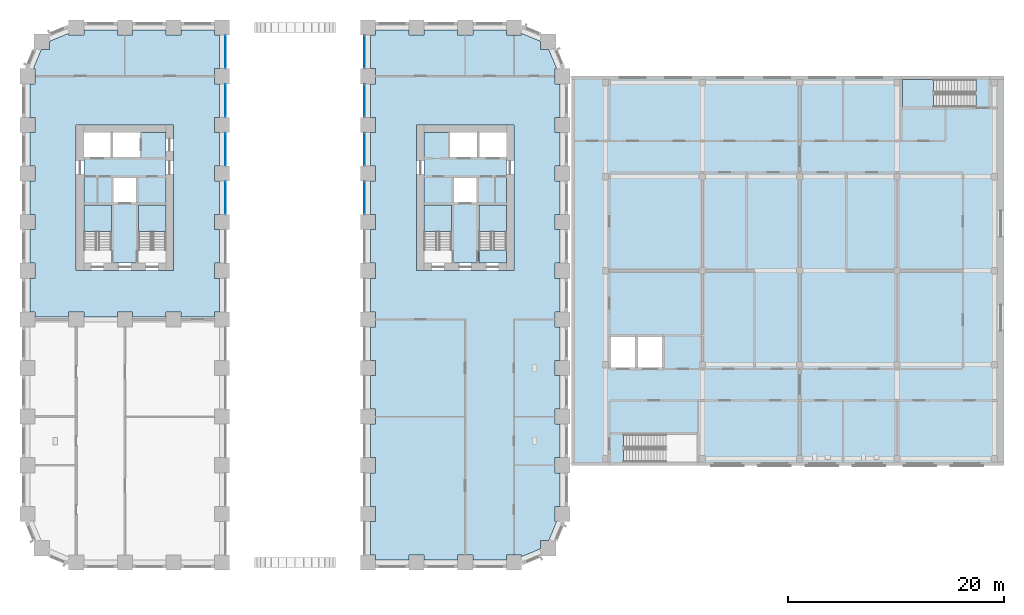
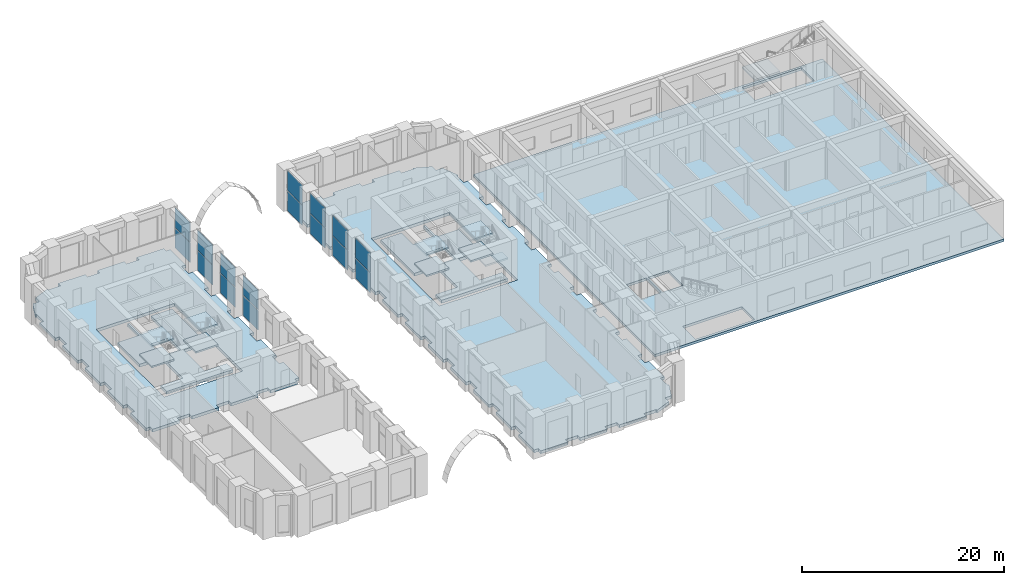
# One storey, part 7 of 24: 16 plates, 15 slabs, 13 elements without a shape of their own.
"""IFC4 building model written with IfcOpenShell, lengths in metres."""

from ifc_helpers import new_model, si_unit, direction, frame, origin, origin_2d, place, context, subcontext, project, spatial, polyline, rectangle, outline, extrude, material, layer, layer_set, type_object, element, aggregate, save


model = new_model("IFC4")

# Units and contexts
model_context = context("Model", 3, precision=1e-05, world=origin(), true_north=direction((0.0, 1.0)))
body_context = subcontext(model_context, "Body", "Model", "MODEL_VIEW")
ifc_project = project(units=[si_unit("LENGTHUNIT", "METRE"), si_unit("AREAUNIT", "SQUARE_METRE"), si_unit("VOLUMEUNIT", "CUBIC_METRE"), si_unit("PLANEANGLEUNIT", "RADIAN"), si_unit("MASSUNIT", "GRAM", prefix="KILO")], contexts=[model_context])

# Site, building, storey
site_placement = place(None, origin())
site = spatial("IfcSite", under=ifc_project, at=site_placement, CompositionType="ELEMENT")
building_placement = place(site_placement, origin())
building = spatial("IfcBuilding", under=site, at=building_placement, Name="Girih Gate Residences", CompositionType="ELEMENT")
storey_placement = place(building_placement, frame((0.0, 0.0, 11.0)))
storey = spatial("IfcBuildingStorey", under=building, at=storey_placement, Name="L02", CompositionType="ELEMENT", Elevation=11.0)

# Slabs
ifc_material_1 = material(Name="Concrete C40/50", Category="concrete")
ifc_layer_1 = layer(ifc_material_1, 0.35009765625)
ifc_layer_set_1 = layer_set([ifc_layer_1], Name="Core floor slab 350")
slab_type_1 = type_object("IfcSlabType", Name="Core floor slab 350", PredefinedType="FLOOR", material=ifc_layer_set_1)
slab_1_placement = place(storey_placement, frame((0.0, 0.0, -0.35009765625)))
element("IfcSlab", 1, at=slab_1_placement, inside=storey, type_object=slab_type_1, Name="L02 W core floor", PredefinedType="FLOOR", context=body_context, shape_type="SweptSolid", body=[
    extrude(outline(polyline([(12.800048828125, 27.699951171875), (5.199951171875, 27.699951171875), (5.199951171875, 28.900634765625), (7.75, 28.900634765625), (7.75, 33.10009765625), (5.199951171875, 33.10009765625), (5.199951171875, 37.5), (7.699951171875, 37.5), (7.699951171875, 39.800048828125), (7.89990234375, 39.800048828125), (7.89990234375, 37.5), (10.39990234375, 37.5), (10.39990234375, 39.800048828125), (12.800048828125, 39.800048828125), (12.800048828125, 33.10009765625), (10.25, 33.10009765625), (10.25, 28.900634765625), (12.800048828125, 28.900634765625), (12.800048828125, 27.699951171875)]), holes=[polyline([(7.949951171875, 33.300048828125), (10.050048828125, 33.300048828125), (10.050048828125, 35.60009765625), (7.949951171875, 35.60009765625), (7.949951171875, 33.300048828125)])]), origin(), (0.0, 0.0, 1.0), 0.35009765625),
])
slab_2_placement = place(storey_placement, frame((0.0, 0.0, -0.35009765625)))
element("IfcSlab", 2, at=slab_2_placement, inside=storey, type_object=slab_type_1, Name="L02 E core floor", PredefinedType="FLOOR", context=body_context, shape_type="SweptSolid", body=[
    extrude(outline(polyline([(44.300048828125, 27.699951171875), (36.699951171875, 27.699951171875), (36.699951171875, 28.900634765625), (39.25, 28.900634765625), (39.25, 33.10009765625), (36.699951171875, 33.10009765625), (36.699951171875, 39.800048828125), (39.10009765625, 39.800048828125), (39.10009765625, 37.5), (41.60009765625, 37.5), (41.60009765625, 39.800048828125), (41.800048828125, 39.800048828125), (41.800048828125, 37.5), (44.300048828125, 37.5), (44.300048828125, 33.10009765625), (41.75, 33.10009765625), (41.75, 28.900634765625), (44.300048828125, 28.900634765625), (44.300048828125, 27.699951171875)]), holes=[polyline([(39.449951171875, 33.300048828125), (41.550048828125, 33.300048828125), (41.550048828125, 35.60009765625), (39.449951171875, 35.60009765625), (39.449951171875, 33.300048828125)])]), origin(), (0.0, 0.0, 1.0), 0.35009765625),
])

# Curtain wall, plates
ifc_material_2 = material(Name="Aluminium curtain wall frame", Category="aluminium")
curtain_wall_type = type_object("IfcCurtainWallType", Name="Curtain wall CW-2 podium amenity glazing", PredefinedType="NOTDEFINED", material=ifc_material_2)
curtain_wall_1_placement = place(storey_placement, origin())
curtain_wall_1 = element("IfcCurtainWall", 3, at=curtain_wall_1_placement, inside=storey, type_object=curtain_wall_type, Name="CW-2 Podium amenity glazing E0180_0000.7", PredefinedType="NOTDEFINED")
ifc_material_3 = material(Name="Double glazed unit")
ifc_layer_2 = layer(ifc_material_3, 0.028076171875)
ifc_layer_set_2 = layer_set([ifc_layer_2], Name="Curtain wall glass panel 28")
plate_type = type_object("IfcPlateType", Name="Curtain wall glass panel 28", PredefinedType="CURTAIN_PANEL", material=ifc_layer_set_2)
plate_1_placement = place(storey_placement, frame((18.31494140625, 33.75, 0.06005859375), z_axis=(0.0, 0.0, 1.0), x_axis=(0.0, 1.0, 0.0)))
plate_1 = element("IfcPlate", 4, at=plate_1_placement, type_object=plate_type, Name="CW-2 panel 1.1", PredefinedType="CURTAIN_PANEL", context=body_context, shape_type="SweptSolid", body=[
    extrude(rectangle(XDim=2.97998046875, YDim=0.028076171875, at=origin_2d()), origin(), (0.0, 0.0, 1.0), 2.409912109375),
])
plate_2_placement = place(storey_placement, frame((18.31494140625, 33.75, 2.5302734375), z_axis=(0.0, 0.0, 1.0), x_axis=(0.0, 1.0, 0.0)))
plate_2 = element("IfcPlate", 5, at=plate_2_placement, type_object=plate_type, Name="CW-2 panel 1.2", PredefinedType="CURTAIN_PANEL", context=body_context, shape_type="SweptSolid", body=[
    extrude(rectangle(XDim=2.97998046875, YDim=0.028076171875, at=origin_2d()), origin(), (0.0, 0.0, 1.0), 2.409912109375),
])
aggregate(curtain_wall_1, [plate_1, plate_2])

curtain_wall_2_placement = place(storey_placement, origin())
curtain_wall_2 = element("IfcCurtainWall", 6, at=curtain_wall_2_placement, inside=storey, type_object=curtain_wall_type, Name="CW-2 Podium amenity glazing E0180_0000.8", PredefinedType="NOTDEFINED")
plate_3_placement = place(storey_placement, frame((18.31494140625, 38.25, 0.06005859375), z_axis=(0.0, 0.0, 1.0), x_axis=(0.0, 1.0, 0.0)))
plate_3 = element("IfcPlate", 7, at=plate_3_placement, type_object=plate_type, Name="CW-2 panel 1.1", PredefinedType="CURTAIN_PANEL", context=body_context, shape_type="SweptSolid", body=[
    extrude(rectangle(XDim=2.97998046875, YDim=0.028076171875, at=origin_2d()), origin(), (0.0, 0.0, 1.0), 2.409912109375),
])
plate_4_placement = place(storey_placement, frame((18.31494140625, 38.25, 2.5302734375), z_axis=(0.0, 0.0, 1.0), x_axis=(0.0, 1.0, 0.0)))
plate_4 = element("IfcPlate", 8, at=plate_4_placement, type_object=plate_type, Name="CW-2 panel 1.2", PredefinedType="CURTAIN_PANEL", context=body_context, shape_type="SweptSolid", body=[
    extrude(rectangle(XDim=2.97998046875, YDim=0.028076171875, at=origin_2d()), origin(), (0.0, 0.0, 1.0), 2.409912109375),
])
aggregate(curtain_wall_2, [plate_3, plate_4])

curtain_wall_3_placement = place(storey_placement, origin())
curtain_wall_3 = element("IfcCurtainWall", 9, at=curtain_wall_3_placement, inside=storey, type_object=curtain_wall_type, Name="CW-2 Podium amenity glazing E0180_0000.9", PredefinedType="NOTDEFINED")
plate_5_placement = place(storey_placement, frame((18.31494140625, 42.75, 0.06005859375), z_axis=(0.0, 0.0, 1.0), x_axis=(0.0, 1.0, 0.0)))
plate_5 = element("IfcPlate", 10, at=plate_5_placement, type_object=plate_type, Name="CW-2 panel 1.1", PredefinedType="CURTAIN_PANEL", context=body_context, shape_type="SweptSolid", body=[
    extrude(rectangle(XDim=2.97998046875, YDim=0.028076171875, at=origin_2d()), origin(), (0.0, 0.0, 1.0), 2.409912109375),
])
plate_6_placement = place(storey_placement, frame((18.31494140625, 42.75, 2.5302734375), z_axis=(0.0, 0.0, 1.0), x_axis=(0.0, 1.0, 0.0)))
plate_6 = element("IfcPlate", 11, at=plate_6_placement, type_object=plate_type, Name="CW-2 panel 1.2", PredefinedType="CURTAIN_PANEL", context=body_context, shape_type="SweptSolid", body=[
    extrude(rectangle(XDim=2.97998046875, YDim=0.028076171875, at=origin_2d()), origin(), (0.0, 0.0, 1.0), 2.409912109375),
])
aggregate(curtain_wall_3, [plate_5, plate_6])

curtain_wall_4_placement = place(storey_placement, origin())
curtain_wall_4 = element("IfcCurtainWall", 12, at=curtain_wall_4_placement, inside=storey, type_object=curtain_wall_type, Name="CW-2 Podium amenity glazing E0180_0000.10", PredefinedType="NOTDEFINED")
plate_7_placement = place(storey_placement, frame((18.31494140625, 47.25, 0.06005859375), z_axis=(0.0, 0.0, 1.0), x_axis=(0.0, 1.0, 0.0)))
plate_7 = element("IfcPlate", 13, at=plate_7_placement, type_object=plate_type, Name="CW-2 panel 1.1", PredefinedType="CURTAIN_PANEL", context=body_context, shape_type="SweptSolid", body=[
    extrude(rectangle(XDim=2.97998046875, YDim=0.028076171875, at=origin_2d()), origin(), (0.0, 0.0, 1.0), 2.409912109375),
])
plate_8_placement = place(storey_placement, frame((18.31494140625, 47.25, 2.5302734375), z_axis=(0.0, 0.0, 1.0), x_axis=(0.0, 1.0, 0.0)))
plate_8 = element("IfcPlate", 14, at=plate_8_placement, type_object=plate_type, Name="CW-2 panel 1.2", PredefinedType="CURTAIN_PANEL", context=body_context, shape_type="SweptSolid", body=[
    extrude(rectangle(XDim=2.97998046875, YDim=0.028076171875, at=origin_2d()), origin(), (0.0, 0.0, 1.0), 2.409912109375),
])
aggregate(curtain_wall_4, [plate_7, plate_8])

curtain_wall_5_placement = place(storey_placement, origin())
curtain_wall_5 = element("IfcCurtainWall", 15, at=curtain_wall_5_placement, inside=storey, type_object=curtain_wall_type, Name="CW-2 Podium amenity glazing W0315_0495.0", PredefinedType="NOTDEFINED")
plate_9_placement = place(storey_placement, frame((31.18505859375, 47.25, 0.06005859375), z_axis=(0.0, 0.0, 1.0), x_axis=(0.0, -1.0, 0.0)))
plate_9 = element("IfcPlate", 16, at=plate_9_placement, type_object=plate_type, Name="CW-2 panel 1.1", PredefinedType="CURTAIN_PANEL", context=body_context, shape_type="SweptSolid", body=[
    extrude(rectangle(XDim=2.97998046875, YDim=0.028076171875, at=origin_2d()), origin(), (0.0, 0.0, 1.0), 2.409912109375),
])
plate_10_placement = place(storey_placement, frame((31.18505859375, 47.25, 2.5302734375), z_axis=(0.0, 0.0, 1.0), x_axis=(0.0, -1.0, 0.0)))
plate_10 = element("IfcPlate", 17, at=plate_10_placement, type_object=plate_type, Name="CW-2 panel 1.2", PredefinedType="CURTAIN_PANEL", context=body_context, shape_type="SweptSolid", body=[
    extrude(rectangle(XDim=2.97998046875, YDim=0.028076171875, at=origin_2d()), origin(), (0.0, 0.0, 1.0), 2.409912109375),
])
aggregate(curtain_wall_5, [plate_9, plate_10])

curtain_wall_6_placement = place(storey_placement, origin())
curtain_wall_6 = element("IfcCurtainWall", 18, at=curtain_wall_6_placement, inside=storey, type_object=curtain_wall_type, Name="CW-2 Podium amenity glazing W0315_0495.1", PredefinedType="NOTDEFINED")
plate_11_placement = place(storey_placement, frame((31.18505859375, 42.75, 0.06005859375), z_axis=(0.0, 0.0, 1.0), x_axis=(0.0, -1.0, 0.0)))
plate_11 = element("IfcPlate", 19, at=plate_11_placement, type_object=plate_type, Name="CW-2 panel 1.1", PredefinedType="CURTAIN_PANEL", context=body_context, shape_type="SweptSolid", body=[
    extrude(rectangle(XDim=2.97998046875, YDim=0.028076171875, at=origin_2d()), origin(), (0.0, 0.0, 1.0), 2.409912109375),
])
plate_12_placement = place(storey_placement, frame((31.18505859375, 42.75, 2.5302734375), z_axis=(0.0, 0.0, 1.0), x_axis=(0.0, -1.0, 0.0)))
plate_12 = element("IfcPlate", 20, at=plate_12_placement, type_object=plate_type, Name="CW-2 panel 1.2", PredefinedType="CURTAIN_PANEL", context=body_context, shape_type="SweptSolid", body=[
    extrude(rectangle(XDim=2.97998046875, YDim=0.028076171875, at=origin_2d()), origin(), (0.0, 0.0, 1.0), 2.409912109375),
])
aggregate(curtain_wall_6, [plate_11, plate_12])

curtain_wall_7_placement = place(storey_placement, origin())
curtain_wall_7 = element("IfcCurtainWall", 21, at=curtain_wall_7_placement, inside=storey, type_object=curtain_wall_type, Name="CW-2 Podium amenity glazing W0315_0495.2", PredefinedType="NOTDEFINED")
plate_13_placement = place(storey_placement, frame((31.18505859375, 38.25, 0.06005859375), z_axis=(0.0, 0.0, 1.0), x_axis=(0.0, -1.0, 0.0)))
plate_13 = element("IfcPlate", 22, at=plate_13_placement, type_object=plate_type, Name="CW-2 panel 1.1", PredefinedType="CURTAIN_PANEL", context=body_context, shape_type="SweptSolid", body=[
    extrude(rectangle(XDim=2.97998046875, YDim=0.028076171875, at=origin_2d()), origin(), (0.0, 0.0, 1.0), 2.409912109375),
])
plate_14_placement = place(storey_placement, frame((31.18505859375, 38.25, 2.5302734375), z_axis=(0.0, 0.0, 1.0), x_axis=(0.0, -1.0, 0.0)))
plate_14 = element("IfcPlate", 23, at=plate_14_placement, type_object=plate_type, Name="CW-2 panel 1.2", PredefinedType="CURTAIN_PANEL", context=body_context, shape_type="SweptSolid", body=[
    extrude(rectangle(XDim=2.97998046875, YDim=0.028076171875, at=origin_2d()), origin(), (0.0, 0.0, 1.0), 2.409912109375),
])
aggregate(curtain_wall_7, [plate_13, plate_14])

curtain_wall_8_placement = place(storey_placement, origin())
curtain_wall_8 = element("IfcCurtainWall", 24, at=curtain_wall_8_placement, inside=storey, type_object=curtain_wall_type, Name="CW-2 Podium amenity glazing W0315_0495.3", PredefinedType="NOTDEFINED")
plate_15_placement = place(storey_placement, frame((31.18505859375, 33.75, 0.06005859375), z_axis=(0.0, 0.0, 1.0), x_axis=(0.0, -1.0, 0.0)))
plate_15 = element("IfcPlate", 25, at=plate_15_placement, type_object=plate_type, Name="CW-2 panel 1.1", PredefinedType="CURTAIN_PANEL", context=body_context, shape_type="SweptSolid", body=[
    extrude(rectangle(XDim=2.97998046875, YDim=0.028076171875, at=origin_2d()), origin(), (0.0, 0.0, 1.0), 2.409912109375),
])
plate_16_placement = place(storey_placement, frame((31.18505859375, 33.75, 2.5302734375), z_axis=(0.0, 0.0, 1.0), x_axis=(0.0, -1.0, 0.0)))
plate_16 = element("IfcPlate", 26, at=plate_16_placement, type_object=plate_type, Name="CW-2 panel 1.2", PredefinedType="CURTAIN_PANEL", context=body_context, shape_type="SweptSolid", body=[
    extrude(rectangle(XDim=2.97998046875, YDim=0.028076171875, at=origin_2d()), origin(), (0.0, 0.0, 1.0), 2.409912109375),
])
aggregate(curtain_wall_8, [plate_15, plate_16])

# Slabs
ifc_layer_3 = layer(ifc_material_1, 0.35009765625)
ifc_layer_set_3 = layer_set([ifc_layer_3], Name="Floor slab PT 350 Concrete C40/50")
slab_type_2 = type_object("IfcSlabType", Name="Floor slab PT 350 Concrete C40/50", PredefinedType="FLOOR", material=ifc_layer_set_3)
slab_3_placement = place(storey_placement, frame((0.0, 0.0, -0.35009765625)))
element("IfcSlab", 27, at=slab_3_placement, inside=storey, type_object=slab_type_2, Name="Floor slab L02 1", PredefinedType="FLOOR", context=body_context, shape_type="SweptSolid", body=[
    extrude(outline(polyline([(35.300048828125, 49.27490234375), (32.199951171875, 49.27490234375), (32.199951171875, 48.800048828125), (31.72509765625, 48.800048828125), (31.72509765625, 45.699951171875), (32.199951171875, 45.699951171875), (32.199951171875, 44.300048828125), (31.72509765625, 44.300048828125), (31.72509765625, 41.199951171875), (32.199951171875, 41.199951171875), (32.199951171875, 39.800048828125), (31.72509765625, 39.800048828125), (31.72509765625, 36.699951171875), (32.199951171875, 36.699951171875), (32.199951171875, 35.300048828125), (31.72509765625, 35.300048828125), (31.72509765625, 32.199951171875), (32.199951171875, 32.199951171875), (32.199951171875, 30.800048828125), (31.72509765625, 30.800048828125), (31.72509765625, 27.699951171875), (32.199951171875, 27.699951171875), (32.199951171875, 26.300048828125), (31.72509765625, 26.300048828125), (31.72509765625, 23.199951171875), (32.199951171875, 23.199951171875), (32.199951171875, 21.800048828125), (31.72509765625, 21.800048828125), (31.72509765625, 18.699951171875), (32.199951171875, 18.699951171875), (32.199951171875, 17.300048828125), (31.72509765625, 17.300048828125), (31.72509765625, 14.199951171875), (32.199951171875, 14.199951171875), (32.199951171875, 12.800048828125), (31.72509765625, 12.800048828125), (31.72509765625, 9.699951171875), (32.199951171875, 9.699951171875), (32.199951171875, 8.300048828125), (31.72509765625, 8.300048828125), (31.72509765625, 5.199951171875), (32.199951171875, 5.199951171875), (32.199951171875, 3.800048828125), (31.72509765625, 3.800048828125), (31.72509765625, 0.699951171875), (32.199951171875, 0.699951171875), (32.199951171875, 0.22509765625), (35.300048828125, 0.22509765625), (35.300048828125, 0.699951171875), (36.699951171875, 0.699951171875), (36.699951171875, 0.22509765625), (39.800048828125, 0.22509765625), (39.800048828125, 0.699951171875), (41.199951171875, 0.699951171875), (41.199951171875, 0.22509765625), (44.300048828125, 0.22509765625), (44.300048828125, 0.699951171875), (45.699951171875, 0.699951171875), (45.699951171875, 0.533447265625), (47.48193359375, 1.271728515625), (47.48193359375, 2.01806640625), (48.228271484375, 2.01806640625), (48.966552734375, 3.800048828125), (48.800048828125, 3.800048828125), (48.800048828125, 5.199951171875), (49.27490234375, 5.199951171875), (49.27490234375, 8.300048828125), (48.800048828125, 8.300048828125), (48.800048828125, 9.699951171875), (49.27490234375, 9.699951171875), (49.27490234375, 12.800048828125), (48.800048828125, 12.800048828125), (48.800048828125, 14.199951171875), (49.27490234375, 14.199951171875), (49.27490234375, 17.300048828125), (48.800048828125, 17.300048828125), (48.800048828125, 18.699951171875), (49.27490234375, 18.699951171875), (49.27490234375, 21.800048828125), (48.800048828125, 21.800048828125), (48.800048828125, 23.199951171875), (49.27490234375, 23.199951171875), (49.27490234375, 26.300048828125), (48.800048828125, 26.300048828125), (48.800048828125, 27.699951171875), (49.27490234375, 27.699951171875), (49.27490234375, 30.800048828125), (48.800048828125, 30.800048828125), (48.800048828125, 32.199951171875), (49.27490234375, 32.199951171875), (49.27490234375, 35.300048828125), (48.800048828125, 35.300048828125), (48.800048828125, 36.699951171875), (49.27490234375, 36.699951171875), (49.27490234375, 39.800048828125), (48.800048828125, 39.800048828125), (48.800048828125, 41.199951171875), (49.27490234375, 41.199951171875), (49.27490234375, 44.300048828125), (48.800048828125, 44.300048828125), (48.800048828125, 45.699951171875), (48.966552734375, 45.699951171875), (48.228271484375, 47.48193359375), (47.48193359375, 47.48193359375), (47.48193359375, 48.228271484375), (45.699951171875, 48.966552734375), (45.699951171875, 48.800048828125), (44.300048828125, 48.800048828125), (44.300048828125, 49.27490234375), (41.199951171875, 49.27490234375), (41.199951171875, 48.800048828125), (39.800048828125, 48.800048828125), (39.800048828125, 49.27490234375), (36.699951171875, 49.27490234375), (36.699951171875, 48.800048828125), (35.300048828125, 48.800048828125), (35.300048828125, 49.27490234375)]), holes=[polyline([(45.0, 40.5), (45.0, 27.0), (36.0, 27.0), (36.0, 40.5), (45.0, 40.5)])]), origin(), (0.0, 0.0, 1.0), 0.35009765625),
])
slab_4_placement = place(storey_placement, frame((0.0, 0.0, -0.35009765625)))
element("IfcSlab", 28, at=slab_4_placement, inside=storey, type_object=slab_type_2, Name="Floor slab L02 2", PredefinedType="FLOOR", context=body_context, shape_type="SweptSolid", body=[
    extrude(outline(polyline([(0.22509765625, 26.300048828125), (0.22509765625, 23.199951171875), (0.699951171875, 23.199951171875), (0.699951171875, 22.72509765625), (3.800048828125, 22.72509765625), (3.800048828125, 23.199951171875), (5.199951171875, 23.199951171875), (5.199951171875, 22.72509765625), (8.300048828125, 22.72509765625), (8.300048828125, 23.199951171875), (9.699951171875, 23.199951171875), (9.699951171875, 22.72509765625), (12.800048828125, 22.72509765625), (12.800048828125, 23.199951171875), (14.199951171875, 23.199951171875), (14.199951171875, 22.72509765625), (17.300048828125, 22.72509765625), (17.300048828125, 23.199951171875), (17.77490234375, 23.199951171875), (17.77490234375, 26.300048828125), (17.300048828125, 26.300048828125), (17.300048828125, 27.699951171875), (17.77490234375, 27.699951171875), (17.77490234375, 30.800048828125), (17.300048828125, 30.800048828125), (17.300048828125, 32.199951171875), (17.77490234375, 32.199951171875), (17.77490234375, 35.300048828125), (17.300048828125, 35.300048828125), (17.300048828125, 36.699951171875), (17.77490234375, 36.699951171875), (17.77490234375, 39.800048828125), (17.300048828125, 39.800048828125), (17.300048828125, 41.199951171875), (17.77490234375, 41.199951171875), (17.77490234375, 44.300048828125), (17.300048828125, 44.300048828125), (17.300048828125, 45.699951171875), (17.77490234375, 45.699951171875), (17.77490234375, 48.800048828125), (17.300048828125, 48.800048828125), (17.300048828125, 49.27490234375), (14.199951171875, 49.27490234375), (14.199951171875, 48.800048828125), (12.800048828125, 48.800048828125), (12.800048828125, 49.27490234375), (9.699951171875, 49.27490234375), (9.699951171875, 48.800048828125), (8.300048828125, 48.800048828125), (8.300048828125, 49.27490234375), (5.199951171875, 49.27490234375), (5.199951171875, 48.800048828125), (3.800048828125, 48.800048828125), (3.800048828125, 48.966552734375), (2.01806640625, 48.228271484375), (2.01806640625, 47.48193359375), (1.271728515625, 47.48193359375), (0.533447265625, 45.699951171875), (0.699951171875, 45.699951171875), (0.699951171875, 44.300048828125), (0.22509765625, 44.300048828125), (0.22509765625, 41.199951171875), (0.699951171875, 41.199951171875), (0.699951171875, 39.800048828125), (0.22509765625, 39.800048828125), (0.22509765625, 36.699951171875), (0.699951171875, 36.699951171875), (0.699951171875, 35.300048828125), (0.22509765625, 35.300048828125), (0.22509765625, 32.199951171875), (0.699951171875, 32.199951171875), (0.699951171875, 30.800048828125), (0.22509765625, 30.800048828125), (0.22509765625, 27.699951171875), (0.699951171875, 27.699951171875), (0.699951171875, 26.300048828125), (0.22509765625, 26.300048828125)]), holes=[polyline([(13.5, 40.5), (13.5, 27.0), (4.5, 27.0), (4.5, 40.5), (13.5, 40.5)])]), origin(), (0.0, 0.0, 1.0), 0.35009765625),
])
ifc_layer_4 = layer(ifc_material_1, 0.300048828125)
ifc_layer_set_4 = layer_set([ifc_layer_4], Name="HC Floor slab 300 C40/50")
slab_type_3 = type_object("IfcSlabType", Name="HC Floor slab 300 C40/50", PredefinedType="FLOOR", material=ifc_layer_set_4)
slab_5_placement = place(storey_placement, frame((0.0, 0.0, -0.300048828125)))
element("IfcSlab", 29, at=slab_5_placement, inside=storey, type_object=slab_type_3, Name="L02 floor slab", PredefinedType="FLOOR", context=body_context, shape_type="SweptSolid", body=[
    extrude(outline(polyline([(50.35009765625, 9.0), (90.35009765625, 9.0), (90.35009765625, 45.0), (50.35009765625, 45.0), (50.35009765625, 9.0)]), holes=[polyline([(55.150390625, 9.300048828125), (61.949951171875, 9.300048828125), (61.949951171875, 11.85009765625), (55.150390625, 11.85009765625), (55.150390625, 9.300048828125)]), polyline([(87.74951171875, 44.699951171875), (80.949951171875, 44.699951171875), (80.949951171875, 42.14990234375), (87.74951171875, 42.14990234375), (87.74951171875, 44.699951171875)]), polyline([(53.949951171875, 18.0), (56.25, 18.0), (56.25, 20.89990234375), (53.949951171875, 20.89990234375), (53.949951171875, 18.0)]), polyline([(56.449951171875, 18.0), (58.75, 18.0), (58.75, 20.89990234375), (56.449951171875, 20.89990234375), (56.449951171875, 18.0)])]), origin(), (0.0, 0.0, 1.0), 0.300048828125),
])

# Stair, slab
stair_type_1 = type_object("IfcStairType", Name="HC Stair", PredefinedType="HALF_TURN_STAIR", material=ifc_material_1)
stair_1_placement = place(storey_placement, origin())
stair_1 = element("IfcStair", 30, at=stair_1_placement, inside=storey, type_object=stair_type_1, Name="L02 stair B", PredefinedType="HALF_TURN_STAIR")
ifc_layer_5 = layer(ifc_material_1, 0.199951171875)
ifc_layer_set_5 = layer_set([ifc_layer_5], Name="HC Stair landing 200")
slab_type_4 = type_object("IfcSlabType", Name="HC Stair landing 200", PredefinedType="LANDING", material=ifc_layer_set_5)
slab_6_placement = place(storey_placement, frame((0.0, 0.0, 2.300048828125)))
slab_6 = element("IfcSlab", 31, at=slab_6_placement, type_object=slab_type_4, Name="HC-STB landing 1", PredefinedType="LANDING", context=body_context, shape_type="SweptSolid", body=[
    extrude(outline(polyline([(83.830078125, 44.699951171875), (80.949951171875, 44.699951171875), (80.949951171875, 42.14990234375), (83.830078125, 42.14990234375), (83.830078125, 44.699951171875)])), origin(), (0.0, 0.0, 1.0), 0.199951171875),
])
aggregate(stair_1, [slab_6])

# Stair, slabs
stair_type_2 = type_object("IfcStairType", Name="Exit stair", PredefinedType="HALF_TURN_STAIR", material=ifc_material_1)
stair_2_placement = place(storey_placement, origin())
stair_2 = element("IfcStair", 32, at=stair_2_placement, inside=storey, type_object=stair_type_2, Name="L02 Exit Stair ST-W1", PredefinedType="HALF_TURN_STAIR")
ifc_layer_6 = layer(ifc_material_1, 0.199951171875)
ifc_layer_set_6 = layer_set([ifc_layer_6], Name="Stair landing 200")
slab_type_5 = type_object("IfcSlabType", Name="Stair landing 200", PredefinedType="LANDING", material=ifc_layer_set_6)
slab_7_placement = place(storey_placement, frame((0.0, 0.0, 1.050048828125)))
slab_7 = element("IfcSlab", 33, at=slab_7_placement, type_object=slab_type_5, Name="ST-W1 landing 1", PredefinedType="LANDING", context=body_context, shape_type="SweptSolid", body=[
    extrude(outline(polyline([(7.75, 30.64990234375), (7.75, 33.10009765625), (5.199951171875, 33.10009765625), (5.199951171875, 30.64990234375), (7.75, 30.64990234375)])), origin(), (0.0, 0.0, 1.0), 0.199951171875),
])
slab_8_placement = place(storey_placement, frame((0.0, 0.0, 3.550048828125)))
slab_8 = element("IfcSlab", 34, at=slab_8_placement, type_object=slab_type_5, Name="ST-W1 landing 3", PredefinedType="LANDING", context=body_context, shape_type="SweptSolid", body=[
    extrude(outline(polyline([(7.75, 30.64990234375), (7.75, 33.10009765625), (5.199951171875, 33.10009765625), (5.199951171875, 30.64990234375), (7.75, 30.64990234375)])), origin(), (0.0, 0.0, 1.0), 0.199951171875),
])
aggregate(stair_2, [slab_7, slab_8])

stair_3_placement = place(storey_placement, origin())
stair_3 = element("IfcStair", 35, at=stair_3_placement, inside=storey, type_object=stair_type_2, Name="L02 Exit Stair ST-W2", PredefinedType="HALF_TURN_STAIR")
slab_9_placement = place(storey_placement, frame((0.0, 0.0, 1.050048828125)))
slab_9 = element("IfcSlab", 36, at=slab_9_placement, type_object=slab_type_5, Name="ST-W2 landing 1", PredefinedType="LANDING", context=body_context, shape_type="SweptSolid", body=[
    extrude(outline(polyline([(12.800048828125, 30.64990234375), (12.800048828125, 33.10009765625), (10.25, 33.10009765625), (10.25, 30.64990234375), (12.800048828125, 30.64990234375)])), origin(), (0.0, 0.0, 1.0), 0.199951171875),
])
slab_10_placement = place(storey_placement, frame((0.0, 0.0, 3.550048828125)))
slab_10 = element("IfcSlab", 37, at=slab_10_placement, type_object=slab_type_5, Name="ST-W2 landing 3", PredefinedType="LANDING", context=body_context, shape_type="SweptSolid", body=[
    extrude(outline(polyline([(12.800048828125, 30.64990234375), (12.800048828125, 33.10009765625), (10.25, 33.10009765625), (10.25, 30.64990234375), (12.800048828125, 30.64990234375)])), origin(), (0.0, 0.0, 1.0), 0.199951171875),
])
aggregate(stair_3, [slab_9, slab_10])

stair_4_placement = place(storey_placement, origin())
stair_4 = element("IfcStair", 38, at=stair_4_placement, inside=storey, type_object=stair_type_2, Name="L02 Exit Stair ST-E1", PredefinedType="HALF_TURN_STAIR")
slab_11_placement = place(storey_placement, frame((0.0, 0.0, 1.050048828125)))
slab_11 = element("IfcSlab", 39, at=slab_11_placement, type_object=slab_type_5, Name="ST-E1 landing 1", PredefinedType="LANDING", context=body_context, shape_type="SweptSolid", body=[
    extrude(outline(polyline([(44.300048828125, 30.64990234375), (44.300048828125, 33.10009765625), (41.75, 33.10009765625), (41.75, 30.64990234375), (44.300048828125, 30.64990234375)])), origin(), (0.0, 0.0, 1.0), 0.199951171875),
])
slab_12_placement = place(storey_placement, frame((0.0, 0.0, 2.300048828125)))
slab_12 = element("IfcSlab", 40, at=slab_12_placement, type_object=slab_type_5, Name="ST-E1 landing 2", PredefinedType="LANDING", context=body_context, shape_type="SweptSolid", body=[
    extrude(outline(polyline([(44.300048828125, 27.699951171875), (44.300048828125, 28.89990234375), (41.75, 28.89990234375), (41.75, 27.699951171875), (44.300048828125, 27.699951171875)])), origin(), (0.0, 0.0, 1.0), 0.199951171875),
])
slab_13_placement = place(storey_placement, frame((0.0, 0.0, 3.550048828125)))
slab_13 = element("IfcSlab", 41, at=slab_13_placement, type_object=slab_type_5, Name="ST-E1 landing 3", PredefinedType="LANDING", context=body_context, shape_type="SweptSolid", body=[
    extrude(outline(polyline([(44.300048828125, 30.64990234375), (44.300048828125, 33.10009765625), (41.75, 33.10009765625), (41.75, 30.64990234375), (44.300048828125, 30.64990234375)])), origin(), (0.0, 0.0, 1.0), 0.199951171875),
])
aggregate(stair_4, [slab_11, slab_12, slab_13])

stair_5_placement = place(storey_placement, origin())
stair_5 = element("IfcStair", 42, at=stair_5_placement, inside=storey, type_object=stair_type_2, Name="L02 Exit Stair ST-E2", PredefinedType="HALF_TURN_STAIR")
slab_14_placement = place(storey_placement, frame((0.0, 0.0, 1.050048828125)))
slab_14 = element("IfcSlab", 43, at=slab_14_placement, type_object=slab_type_5, Name="ST-E2 landing 1", PredefinedType="LANDING", context=body_context, shape_type="SweptSolid", body=[
    extrude(outline(polyline([(39.25, 30.64990234375), (39.25, 33.10009765625), (36.699951171875, 33.10009765625), (36.699951171875, 30.64990234375), (39.25, 30.64990234375)])), origin(), (0.0, 0.0, 1.0), 0.199951171875),
])
slab_15_placement = place(storey_placement, frame((0.0, 0.0, 3.550048828125)))
slab_15 = element("IfcSlab", 44, at=slab_15_placement, type_object=slab_type_5, Name="ST-E2 landing 3", PredefinedType="LANDING", context=body_context, shape_type="SweptSolid", body=[
    extrude(outline(polyline([(39.25, 30.64990234375), (39.25, 33.10009765625), (36.699951171875, 33.10009765625), (36.699951171875, 30.64990234375), (39.25, 30.64990234375)])), origin(), (0.0, 0.0, 1.0), 0.199951171875),
])
aggregate(stair_5, [slab_14, slab_15])

save(model, "model.ifc")
